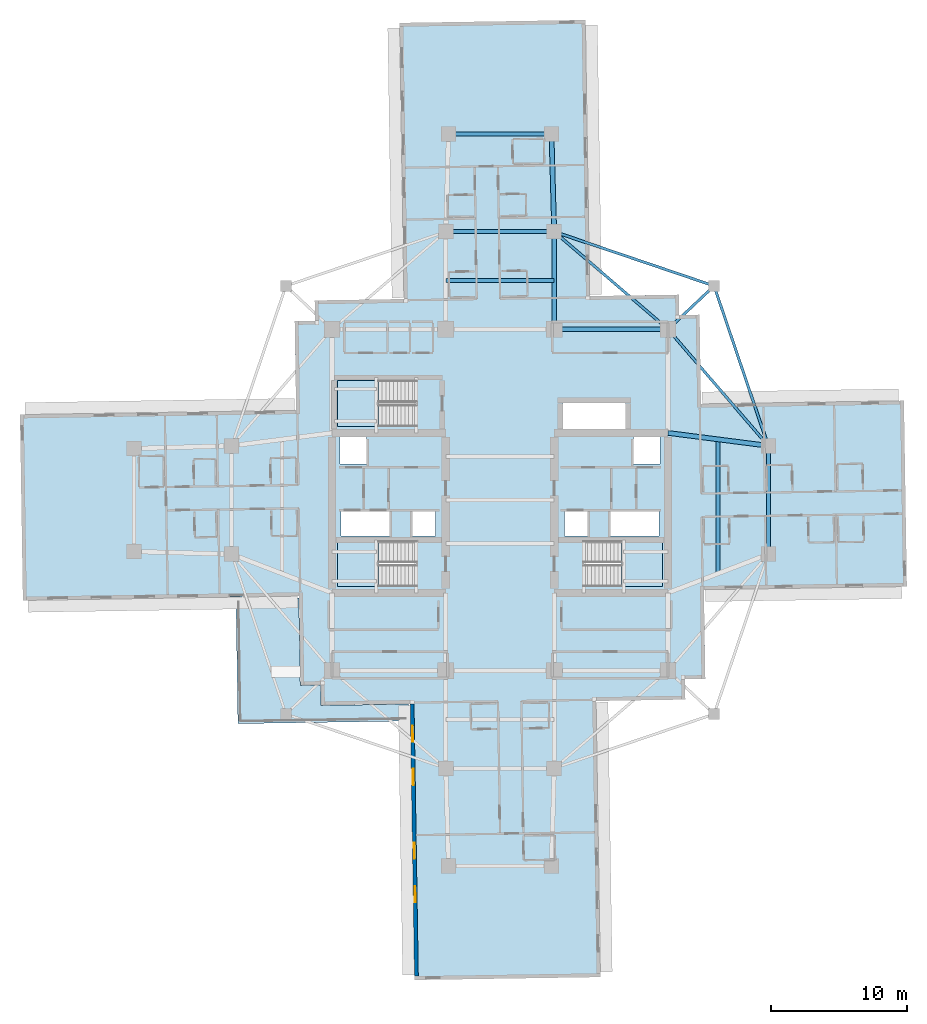
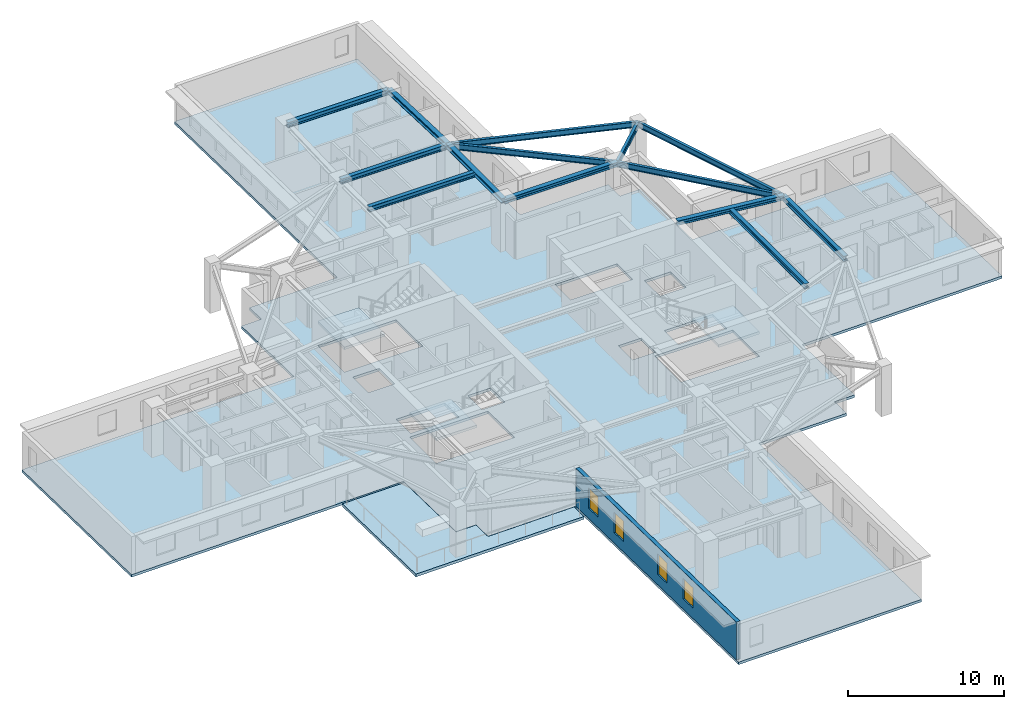
# One storey, part 2 of 14: 14 beams, 5 slabs, 4 windows, 1 wall, 4 openings, 3 elements without a shape of their own.
"""IFC4 building model written with IfcOpenShell, lengths in metres."""

from ifc_helpers import new_model, si_unit, direction, frame, frame_2d, origin, origin_2d, place, context, subcontext, project, spatial, polyline, rectangle, i_section, outline, extrude, material, layer, layer_set, material_profile, profile_set, type_object, element, fill, aggregate, save


model = new_model("IFC4")

# Units and contexts
model_context = context("Model", 3, precision=1e-05, world=origin(), true_north=direction((0.0, 1.0)))
body_context = subcontext(model_context, "Body", "Model", "MODEL_VIEW")
ifc_project = project(units=[si_unit("LENGTHUNIT", "METRE"), si_unit("AREAUNIT", "SQUARE_METRE"), si_unit("VOLUMEUNIT", "CUBIC_METRE"), si_unit("PLANEANGLEUNIT", "RADIAN"), si_unit("MASSUNIT", "GRAM", prefix="KILO")], contexts=[model_context])

# Site, building, storey
site_placement = place(None, origin())
site = spatial("IfcSite", under=ifc_project, at=site_placement, CompositionType="ELEMENT")
building_placement = place(site_placement, origin())
building = spatial("IfcBuilding", under=site, at=building_placement, Name="Qingluan Cross Belvedere", CompositionType="ELEMENT")
storey_placement = place(building_placement, frame((0.0, 0.0, 108.60009765625)))
storey = spatial("IfcBuildingStorey", under=building, at=storey_placement, Name="L27", CompositionType="ELEMENT", Elevation=108.60009765625)

# Beams
ifc_material_1 = material(Name="Steel Q420GJB", Category="steel")
ifc_material_profile_1 = material_profile(ifc_material_1, i_section(OverallWidth=0.300048828125, OverallDepth=0.389892578125, WebThickness=0.010009765625, FlangeThickness=0.01611328125, FilletRadius=0.01806640625, at=origin_2d()), Name="HM390x300x10x16")
ifc_profile_set_1 = profile_set([ifc_material_profile_1], Name="Steel Q420GJB")
beam_type_1 = type_object("IfcBeamType", Name="Steel_Beam_HM390x300x10x16", PredefinedType="BEAM", material=ifc_profile_set_1)
beam_1_placement = place(storey_placement, frame((19.800048828125, -4.0, 3.5048828125), z_axis=(0.0, 1.0, 0.0), x_axis=(-1.0, 0.0, 0.0)))
element("IfcBeam", 1, at=beam_1_placement, inside=storey, type_object=beam_type_1, Name="Arm E tie L27", PredefinedType="BEAM", context=body_context, shape_type="SweptSolid", body=[
    extrude(i_section(OverallWidth=0.300048828125, OverallDepth=0.389892578125, WebThickness=0.010009765625, FlangeThickness=0.01611328125, FilletRadius=0.01806640625, at=origin_2d()), origin(), (0.0, 0.0, 1.0), 8.0),
])
beam_2_placement = place(storey_placement, frame((16.10009765625, -5.425048828125, 3.5048828125), z_axis=(0.0, 1.0, 0.0), x_axis=(-1.0, 0.0, 0.0)))
element("IfcBeam", 2, at=beam_2_placement, inside=storey, type_object=beam_type_1, Name="Arm E beam L27", PredefinedType="BEAM", context=body_context, shape_type="SweptSolid", body=[
    extrude(i_section(OverallWidth=0.300048828125, OverallDepth=0.389892578125, WebThickness=0.010009765625, FlangeThickness=0.01611328125, FilletRadius=0.01806640625, at=origin_2d()), origin(), (0.0, 0.0, 1.0), 9.900146484375),
])
for number, where, z_axis, x_axis, name in (
    (3, (-4.0, 19.800048828125, 3.5048828125), (1.0, 0.0, 0.0), (0.0, 1.0, 0.0), "Arm N tie L27"),
    (4, (-4.0, 16.199951171875, 3.5048828125), (1.0, 0.0, 0.0), (0.0, 1.0, 0.0), "Arm N beam L27"),
):
    element("IfcBeam", number, at=place(storey_placement, frame(where, z_axis=z_axis, x_axis=x_axis)), inside=storey, type_object=beam_type_1, Name=name, PredefinedType="BEAM", context=body_context, shape_type="SweptSolid", body=[
        extrude(i_section(OverallWidth=0.300048828125, OverallDepth=0.389892578125, WebThickness=0.010009765625, FlangeThickness=0.01611328125, FilletRadius=0.01806640625, at=origin_2d()), origin(), (0.0, 0.0, 1.0), 8.0),
    ])
beam_3_placement = place(storey_placement, frame((-3.800048828125, 27.0, 3.5048828125), z_axis=(1.0, 0.0, 0.0), x_axis=(0.0, 1.0, 0.0)))
element("IfcBeam", 5, at=beam_3_placement, inside=storey, type_object=beam_type_1, Name="Arm N tip transverse beam L27", PredefinedType="BEAM", context=body_context, shape_type="SweptSolid", body=[
    extrude(i_section(OverallWidth=0.300048828125, OverallDepth=0.389892578125, WebThickness=0.010009765625, FlangeThickness=0.01611328125, FilletRadius=0.01806640625, at=origin_2d()), origin(), (0.0, 0.0, 1.0), 7.60009765625),
])
ifc_material_2 = material(Name="Steel Q420GJB", Category="steel")
ifc_material_profile_2 = material_profile(ifc_material_2, i_section(OverallWidth=0.199951171875, OverallDepth=0.449951171875, WebThickness=0.009033203125, FlangeThickness=0.013916015625, FilletRadius=0.01611328125, at=origin_2d()), Name="HN450x200x9x14")
ifc_profile_set_2 = profile_set([ifc_material_profile_2], Name="Steel Q420GJB")
beam_type_2 = type_object("IfcBeamType", Name="Steel_Beam_HN450x200x9x14", PredefinedType="JOIST", material=ifc_profile_set_2)
beam_4_placement = place(storey_placement, frame((12.39990234375, 12.60009765625, 3.474853515625), z_axis=(0.728219948308, 0.685343495546, 0.0), x_axis=(-0.685343495546, 0.728219948308, 0.0)))
element("IfcBeam", 6, at=beam_4_placement, inside=storey, type_object=beam_type_2, Name="Corner beam 1 L27-RNE", PredefinedType="JOIST", context=body_context, shape_type="SweptSolid", body=[
    extrude(i_section(OverallWidth=0.199951171875, OverallDepth=0.449951171875, WebThickness=0.009033203125, FlangeThickness=0.013916015625, FilletRadius=0.01611328125, at=origin_2d()), origin(), (0.0, 0.0, 1.0), 4.669189453125),
])
for number, where, z_axis, x_axis, name in (
    (7, (15.800048828125, 15.800048828125, 3.474853515625), (-0.947066283324, 0.321038089628, 0.0), (-0.321038089628, -0.947066283324, 0.0), "Corner beam 2 L27-RNE"),
    (8, (15.800048828125, 15.800048828125, 3.474853515625), (0.321038089628, -0.947066283324, 0.0), (0.947066283324, 0.321038089628, 0.0), "Corner beam 3 L27-RNE"),
):
    element("IfcBeam", number, at=place(storey_placement, frame(where, z_axis=z_axis, x_axis=x_axis)), inside=storey, type_object=beam_type_2, Name=name, PredefinedType="JOIST", context=body_context, shape_type="SweptSolid", body=[
        extrude(i_section(OverallWidth=0.199951171875, OverallDepth=0.449951171875, WebThickness=0.009033203125, FlangeThickness=0.013916015625, FilletRadius=0.01611328125, at=origin_2d()), origin(), (0.0, 0.0, 1.0), 12.45947265625),
    ])
beam_5_placement = place(storey_placement, frame((12.39990234375, 12.60009765625, 3.474853515625), z_axis=(0.652245077546, -0.75800815221, 0.0), x_axis=(0.75800815221, 0.652245077546, 0.0)))
element("IfcBeam", 9, at=beam_5_placement, inside=storey, type_object=beam_type_2, Name="Corner beam 4 L27-RNE", PredefinedType="JOIST", context=body_context, shape_type="SweptSolid", body=[
    extrude(i_section(OverallWidth=0.199951171875, OverallDepth=0.449951171875, WebThickness=0.009033203125, FlangeThickness=0.013916015625, FilletRadius=0.01611328125, at=origin_2d()), origin(), (0.0, 0.0, 1.0), 11.345703125),
])
beam_6_placement = place(storey_placement, frame((12.39990234375, 12.60009765625, 3.474853515625), z_axis=(-0.759255044656, 0.650793190779, 0.0), x_axis=(-0.650793190779, -0.759255044656, 0.0)))
element("IfcBeam", 10, at=beam_6_placement, inside=storey, type_object=beam_type_2, Name="Corner beam 5 L27-RNE", PredefinedType="JOIST", context=body_context, shape_type="SweptSolid", body=[
    extrude(i_section(OverallWidth=0.199951171875, OverallDepth=0.449951171875, WebThickness=0.009033203125, FlangeThickness=0.013916015625, FilletRadius=0.01611328125, at=origin_2d()), origin(), (0.0, 0.0, 1.0), 11.063232421875),
])
ifc_material_3 = material(Name="Steel Q420GJB", Category="steel")
ifc_material_profile_3 = material_profile(ifc_material_3, i_section(OverallWidth=0.35009765625, OverallDepth=0.35009765625, WebThickness=0.011962890625, FlangeThickness=0.01904296875, FilletRadius=0.02001953125, at=origin_2d()), Name="HW350x350x12x19")
ifc_profile_set_3 = profile_set([ifc_material_profile_3], Name="Steel Q420GJB")
beam_type_3 = type_object("IfcBeamType", Name="Steel_Girder_HW350x350x12x19", PredefinedType="USERDEFINED", material=ifc_profile_set_3)
beam_7_placement = place(storey_placement, frame((4.0, 12.60009765625, 3.52490234375), z_axis=(1.0, 0.0, 0.0), x_axis=(0.0, 1.0, 0.0)))
element("IfcBeam", 11, at=beam_7_placement, inside=storey, type_object=beam_type_3, Name="Hub girder L27-HG-N3", ObjectType="GIRDER", PredefinedType="USERDEFINED", context=body_context, shape_type="SweptSolid", body=[
    extrude(i_section(OverallWidth=0.35009765625, OverallDepth=0.35009765625, WebThickness=0.011962890625, FlangeThickness=0.01904296875, FilletRadius=0.02001953125, at=origin_2d()), origin(), (0.0, 0.0, 1.0), 8.39990234375),
])
beam_8_placement = place(storey_placement, frame((12.39990234375, 4.949951171875, 3.52490234375), z_axis=(0.991861120628, -0.12732445714, 0.0), x_axis=(0.12732445714, 0.991861120628, 0.0)))
element("IfcBeam", 12, at=beam_8_placement, inside=storey, type_object=beam_type_3, Name="Arm E radial girder B L27", ObjectType="GIRDER", PredefinedType="USERDEFINED", context=body_context, shape_type="SweptSolid", body=[
    extrude(i_section(OverallWidth=0.35009765625, OverallDepth=0.35009765625, WebThickness=0.011962890625, FlangeThickness=0.01904296875, FilletRadius=0.02001953125, at=origin_2d()), origin(), (0.0, 0.0, 1.0), 7.4609375),
])
beam_9_placement = place(storey_placement, frame((4.0, 12.60009765625, 3.52490234375), z_axis=(0.0, 1.0, 0.0), x_axis=(-1.0, 0.0, 0.0)))
element("IfcBeam", 13, at=beam_9_placement, inside=storey, type_object=beam_type_3, Name="Arm N radial girder B L27", ObjectType="GIRDER", PredefinedType="USERDEFINED", context=body_context, shape_type="SweptSolid", body=[
    extrude(i_section(OverallWidth=0.35009765625, OverallDepth=0.35009765625, WebThickness=0.011962890625, FlangeThickness=0.01904296875, FilletRadius=0.02001953125, at=origin_2d()), origin(), (0.0, 0.0, 1.0), 7.199951171875),
])
beam_10_placement = place(storey_placement, frame((4.0, 19.800048828125, 3.52490234375), z_axis=(-0.027760481514, 0.999614603568, 0.0), x_axis=(-0.999614603568, -0.027760481514, 0.0)))
element("IfcBeam", 14, at=beam_10_placement, inside=storey, type_object=beam_type_3, Name="Arm N outer radial girder B L27", ObjectType="GIRDER", PredefinedType="USERDEFINED", context=body_context, shape_type="SweptSolid", body=[
    extrude(i_section(OverallWidth=0.35009765625, OverallDepth=0.35009765625, WebThickness=0.011962890625, FlangeThickness=0.01904296875, FilletRadius=0.02001953125, at=origin_2d()), origin(), (0.0, 0.0, 1.0), 7.20263671875),
])

# Slab
ifc_material_4 = material(Name="Concrete C40", Category="concrete")
ifc_layer_1 = layer(ifc_material_4, 0.199951171875, Name="FloorSlab_200")
ifc_layer_set_1 = layer_set([ifc_layer_1], Name="Concrete C40")
slab_type_1 = type_object("IfcSlabType", Name="FloorSlab_200", PredefinedType="FLOOR", material=ifc_layer_set_1)
slab_1_placement = place(storey_placement, frame((0.0, 0.0, -0.2001953125)))
element("IfcSlab", 15, at=slab_1_placement, inside=storey, type_object=slab_type_1, Name="Structural floor slab L27", PredefinedType="FLOOR", context=body_context, shape_type="SweptSolid", body=[
    extrude(outline(polyline([(7.413818359375, -35.2080078125), (7.09375, -14.830322265625), (13.673095703125, -14.72705078125), (13.6494140625, -13.227294921875), (15.1494140625, -13.20361328125), (15.0458984375, -6.62451171875), (30.024169921875, -6.38916015625), (29.80859375, 7.3291015625), (14.830322265625, 7.09375), (14.72705078125, 13.673095703125), (13.227294921875, 13.6494140625), (13.20361328125, 15.1494140625), (6.62451171875, 15.0458984375), (6.304443359375, 35.42333984375), (-7.413818359375, 35.2080078125), (-7.09375, 14.830322265625), (-13.673095703125, 14.72705078125), (-13.6494140625, 13.227294921875), (-15.1494140625, 13.20361328125), (-15.0458984375, 6.62451171875), (-35.42333984375, 6.304443359375), (-35.2080078125, -7.413818359375), (-14.830322265625, -7.09375), (-14.72705078125, -13.673095703125), (-13.227294921875, -13.6494140625), (-13.20361328125, -15.1494140625), (-6.62451171875, -15.0458984375), (-6.304443359375, -35.42333984375), (7.413818359375, -35.2080078125)]), holes=[polyline([(-12.0, -3.0), (-6.179931640625, -3.0), (-6.179931640625, -6.39990234375), (-12.0, -6.39990234375), (-12.0, -3.0)]), polyline([(6.179931640625, -3.0), (12.0, -3.0), (12.0, -6.39990234375), (6.179931640625, -6.39990234375), (6.179931640625, -3.0)]), polyline([(-12.0, 8.820068359375), (-6.179931640625, 8.820068359375), (-6.179931640625, 5.419921875), (-12.0, 5.419921875), (-12.0, 8.820068359375)]), polyline([(-11.800048828125, 4.64990234375), (-9.85009765625, 4.64990234375), (-9.85009765625, 2.64990234375), (-11.800048828125, 2.64990234375), (-11.800048828125, 4.64990234375)]), polyline([(9.85009765625, 4.64990234375), (11.800048828125, 4.64990234375), (11.800048828125, 2.64990234375), (9.85009765625, 2.64990234375), (9.85009765625, 4.64990234375)]), polyline([(-11.75, -0.840087890625), (-8.14990234375, -0.840087890625), (-8.14990234375, -2.659912109375), (-11.75, -2.659912109375), (-11.75, -0.840087890625)]), polyline([(-6.449951171875, -0.840087890625), (-4.75, -0.840087890625), (-4.75, -2.659912109375), (-6.449951171875, -2.659912109375), (-6.449951171875, -0.840087890625)]), polyline([(4.75, -0.840087890625), (6.449951171875, -0.840087890625), (6.449951171875, -2.659912109375), (4.75, -2.659912109375), (4.75, -0.840087890625)]), polyline([(8.14990234375, -0.840087890625), (11.75, -0.840087890625), (11.75, -2.659912109375), (8.14990234375, -2.659912109375), (8.14990234375, -0.840087890625)]), polyline([(4.64990234375, 7.14990234375), (9.25, 7.14990234375), (9.25, 5.14990234375), (4.64990234375, 5.14990234375), (4.64990234375, 7.14990234375)])]), origin(), (0.0, 0.0, 1.0), 0.2001953125),
])

# Stair, slab
ifc_material_5 = material(Name="Concrete C40", Category="concrete")
stair_type = type_object("IfcStairType", Name="CoreDoglegStair_1620", PredefinedType="HALF_TURN_STAIR", material=ifc_material_5)
stair_1_placement = place(storey_placement, origin())
stair_1 = element("IfcStair", 16, at=stair_1_placement, inside=storey, type_object=stair_type, Name="L27 ST1", PredefinedType="HALF_TURN_STAIR")
ifc_material_6 = material(Name="Concrete C40", Category="concrete")
ifc_layer_2 = layer(ifc_material_6, 0.179931640625, Name="StairLandingSlab_180")
ifc_layer_set_2 = layer_set([ifc_layer_2], Name="Concrete C40")
slab_type_2 = type_object("IfcSlabType", Name="StairLandingSlab_180", PredefinedType="LANDING", material=ifc_layer_set_2)
slab_2_placement = place(storey_placement, frame((0.0, 0.0, 1.75)))
slab_2 = element("IfcSlab", 17, at=slab_2_placement, type_object=slab_type_2, Name="ST1 landing 1", PredefinedType="LANDING", context=body_context, shape_type="SweptSolid", body=[
    extrude(outline(polyline([(-8.97998046875, -3.0), (-12.0, -3.0), (-12.0, -6.39990234375), (-8.97998046875, -6.39990234375), (-8.97998046875, -3.0)])), origin(), (0.0, 0.0, 1.0), 0.199951171875),
])
aggregate(stair_1, [slab_2])

stair_2_placement = place(storey_placement, origin())
stair_2 = element("IfcStair", 18, at=stair_2_placement, inside=storey, type_object=stair_type, Name="L27 ST2", PredefinedType="HALF_TURN_STAIR")
slab_3_placement = place(storey_placement, frame((0.0, 0.0, 1.75)))
slab_3 = element("IfcSlab", 19, at=slab_3_placement, type_object=slab_type_2, Name="ST2 landing 1", PredefinedType="LANDING", context=body_context, shape_type="SweptSolid", body=[
    extrude(outline(polyline([(8.97998046875, -6.39990234375), (12.0, -6.39990234375), (12.0, -3.0), (8.97998046875, -3.0), (8.97998046875, -6.39990234375)])), origin(), (0.0, 0.0, 1.0), 0.199951171875),
])
aggregate(stair_2, [slab_3])

stair_3_placement = place(storey_placement, origin())
stair_3 = element("IfcStair", 20, at=stair_3_placement, inside=storey, type_object=stair_type, Name="L27 ST3", PredefinedType="HALF_TURN_STAIR")
slab_4_placement = place(storey_placement, frame((0.0, 0.0, 1.75)))
slab_4 = element("IfcSlab", 21, at=slab_4_placement, type_object=slab_type_2, Name="ST3 landing 1", PredefinedType="LANDING", context=body_context, shape_type="SweptSolid", body=[
    extrude(outline(polyline([(-8.97998046875, 8.820068359375), (-12.0, 8.820068359375), (-12.0, 5.419921875), (-8.97998046875, 5.419921875), (-8.97998046875, 8.820068359375)])), origin(), (0.0, 0.0, 1.0), 0.199951171875),
])
aggregate(stair_3, [slab_4])

# Slab
ifc_material_7 = material(Name="Concrete C40", Category="concrete")
ifc_layer_3 = layer(ifc_material_7, 0.219970703125, Name="TerraceSlab_220")
ifc_layer_set_3 = layer_set([ifc_layer_3], Name="Concrete C40")
slab_type_3 = type_object("IfcSlabType", Name="TerraceSlab_220", PredefinedType="FLOOR", material=ifc_layer_set_3)
slab_5_placement = place(storey_placement, frame((0.0, 0.0, -0.22021484375)))
element("IfcSlab", 22, at=slab_5_placement, inside=storey, type_object=slab_type_3, Name="Spiralling winter-garden terrace slab L27", PredefinedType="FLOOR", context=body_context, shape_type="SweptSolid", body=[
    extrude(outline(polyline([(-6.764404296875, -15.05810546875), (-13.208984375, -15.15771484375), (-13.237060546875, -13.65966796875), (-14.726806640625, -13.68310546875), (-14.73681640625, -13.675048828125), (-14.838134765625, -7.23388671875), (-19.487548828125, -7.306884765625), (-19.343017578125, -16.505859375), (-6.74462890625, -16.30810546875), (-6.764404296875, -15.05810546875)])), origin(), (0.0, 0.0, 1.0), 0.22021484375),
])

# Wall, openings, windows
ifc_material_8 = material(Name="Precast concrete C45", Category="concrete")
ifc_layer_4 = layer(ifc_material_8, 0.280029296875, Name="PrecastFacadeWall_280")
ifc_layer_set_4 = layer_set([ifc_layer_4], Name="Precast concrete C45")
wall_type = type_object("IfcWallType", Name="PrecastFacadeWall_280", PredefinedType="STANDARD", material=ifc_layer_set_4)
wall_placement = place(storey_placement, frame((-6.484619140625, -15.043701171875, 0.0), z_axis=(0.0, 0.0, 1.0), x_axis=(0.01571739401, -0.999876474133, 0.0)))
wall = element("IfcWall", 23, at=wall_placement, inside=storey, type_object=wall_type, Name="Facade wall L27-SA", PredefinedType="STANDARD", context=body_context, shape_type="SweptSolid", body=[
    extrude(rectangle(XDim=20.099853515625, YDim=0.280029296875, at=frame_2d((10.0498046875, 0.0))), origin(), (0.0, 0.0, 1.0), 2.969970703125),
])
opening_1_placement = place(wall_placement, frame((1.60009765625, 0.0, 0.800048828125)))
opening_1 = element("IfcOpeningElement", 24, at=opening_1_placement, cuts=wall, Name="Opening W-02", PredefinedType="OPENING", context=body_context, shape_type="SweptSolid", body=[
    extrude(rectangle(XDim=1.199951171875, YDim=1.60009765625, at=frame_2d((0.60009765625, 0.800048828125))), frame((0.0, 0.14990234375, 0.0), z_axis=(0.0, -1.0, 0.0), x_axis=(1.0, 0.0, 0.0)), (0.0, 0.0, 1.0), 0.300048828125),
])
opening_2_placement = place(wall_placement, frame((4.800048828125, 0.0, 0.800048828125)))
opening_2 = element("IfcOpeningElement", 25, at=opening_2_placement, cuts=wall, Name="Opening W-02", PredefinedType="OPENING", context=body_context, shape_type="SweptSolid", body=[
    extrude(rectangle(XDim=1.199951171875, YDim=1.60009765625, at=frame_2d((0.60009765625, 0.800048828125))), frame((0.0, 0.14990234375, 0.0), z_axis=(0.0, -1.0, 0.0), x_axis=(1.0, 0.0, 0.0)), (0.0, 0.0, 1.0), 0.300048828125),
])
opening_3_placement = place(wall_placement, frame((10.25, 0.0, 0.800048828125)))
opening_3 = element("IfcOpeningElement", 26, at=opening_3_placement, cuts=wall, Name="Opening W-02", PredefinedType="OPENING", context=body_context, shape_type="SweptSolid", body=[
    extrude(rectangle(XDim=1.199951171875, YDim=1.60009765625, at=frame_2d((0.60009765625, 0.800048828125))), frame((0.0, 0.14990234375, 0.0), z_axis=(0.0, -1.0, 0.0), x_axis=(1.0, 0.0, 0.0)), (0.0, 0.0, 1.0), 0.300048828125),
])
opening_4_placement = place(wall_placement, frame((13.449951171875, 0.0, 0.800048828125)))
opening_4 = element("IfcOpeningElement", 27, at=opening_4_placement, cuts=wall, Name="Opening W-02", PredefinedType="OPENING", context=body_context, shape_type="SweptSolid", body=[
    extrude(rectangle(XDim=1.199951171875, YDim=1.60009765625, at=frame_2d((0.60009765625, 0.800048828125))), frame((0.0, 0.14990234375, 0.0), z_axis=(0.0, -1.0, 0.0), x_axis=(1.0, 0.0, 0.0)), (0.0, 0.0, 1.0), 0.300048828125),
])
ifc_material_9 = material(Name="Thermally broken triple Low-E glass in aluminium frame", Category="aluminium")
window_type = type_object("IfcWindowType", Name="TriRibbonWin_1200x1600", PartitioningType="SINGLE_PANEL", PredefinedType="WINDOW", material=ifc_material_9)
window_1_placement = place(opening_1_placement, origin())
window_1 = element("IfcWindow", 28, at=window_1_placement, inside=storey, type_object=window_type, Name="Ribbon window L27-SA-1", OverallHeight=1.60009765625, OverallWidth=1.199951171875, PartitioningType="SINGLE_PANEL", PredefinedType="WINDOW", context=body_context, shape_type="SweptSolid", body=[
    extrude(rectangle(XDim=1.199951171875, YDim=1.60009765625, at=frame_2d((0.60009765625, 0.800048828125))), frame((0.0, 0.030029296875, 0.0), z_axis=(0.0, -1.0, 0.0), x_axis=(1.0, 0.0, 0.0)), (0.0, 0.0, 1.0), 0.06005859375),
])
fill(opening_1, window_1)
window_2_placement = place(opening_2_placement, origin())
window_2 = element("IfcWindow", 29, at=window_2_placement, inside=storey, type_object=window_type, Name="Ribbon window L27-SA-2", OverallHeight=1.60009765625, OverallWidth=1.199951171875, PartitioningType="SINGLE_PANEL", PredefinedType="WINDOW", context=body_context, shape_type="SweptSolid", body=[
    extrude(rectangle(XDim=1.199951171875, YDim=1.60009765625, at=frame_2d((0.60009765625, 0.800048828125))), frame((0.0, 0.030029296875, 0.0), z_axis=(0.0, -1.0, 0.0), x_axis=(1.0, 0.0, 0.0)), (0.0, 0.0, 1.0), 0.06005859375),
])
fill(opening_2, window_2)
window_3_placement = place(opening_3_placement, origin())
window_3 = element("IfcWindow", 30, at=window_3_placement, inside=storey, type_object=window_type, Name="Ribbon window L27-SA-3", OverallHeight=1.60009765625, OverallWidth=1.199951171875, PartitioningType="SINGLE_PANEL", PredefinedType="WINDOW", context=body_context, shape_type="SweptSolid", body=[
    extrude(rectangle(XDim=1.199951171875, YDim=1.60009765625, at=frame_2d((0.60009765625, 0.800048828125))), frame((0.0, 0.030029296875, 0.0), z_axis=(0.0, -1.0, 0.0), x_axis=(1.0, 0.0, 0.0)), (0.0, 0.0, 1.0), 0.06005859375),
])
fill(opening_3, window_3)
window_4_placement = place(opening_4_placement, origin())
window_4 = element("IfcWindow", 31, at=window_4_placement, inside=storey, type_object=window_type, Name="Ribbon window L27-SA-4", OverallHeight=1.60009765625, OverallWidth=1.199951171875, PartitioningType="SINGLE_PANEL", PredefinedType="WINDOW", context=body_context, shape_type="SweptSolid", body=[
    extrude(rectangle(XDim=1.199951171875, YDim=1.60009765625, at=frame_2d((0.60009765625, 0.800048828125))), frame((0.0, 0.030029296875, 0.0), z_axis=(0.0, -1.0, 0.0), x_axis=(1.0, 0.0, 0.0)), (0.0, 0.0, 1.0), 0.06005859375),
])
fill(opening_4, window_4)

save(model, "model.ifc")
